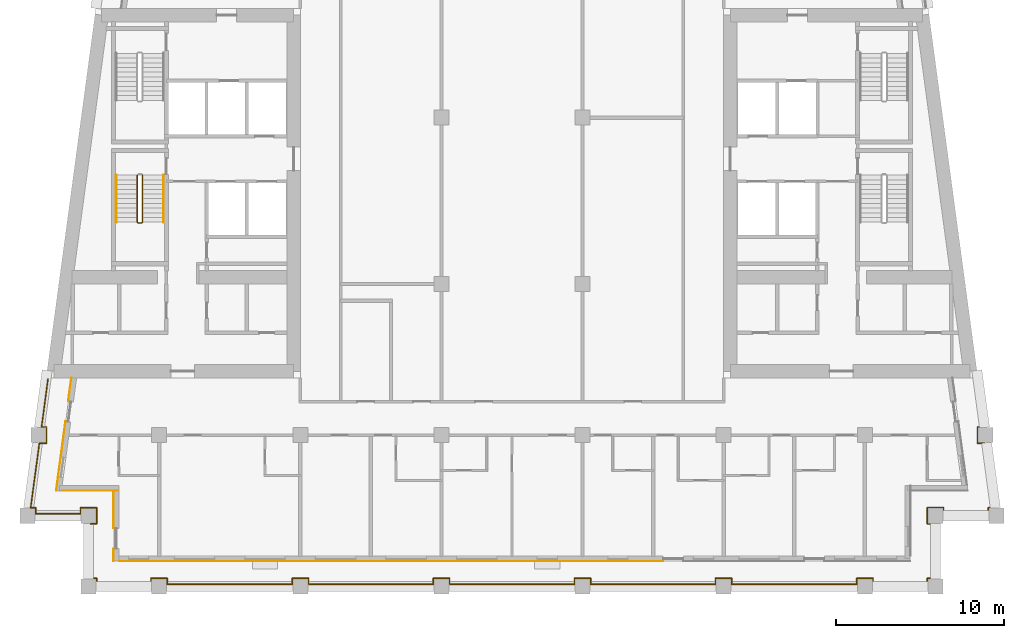
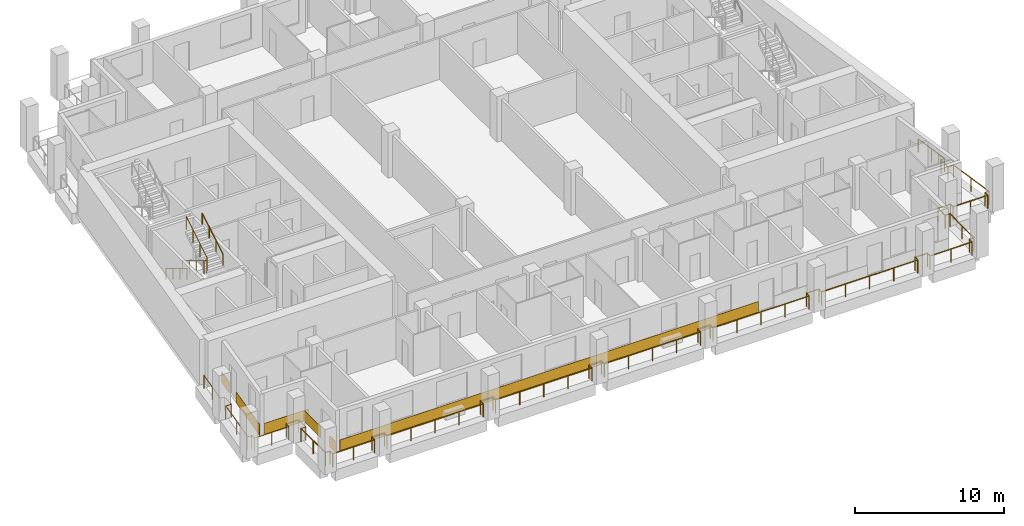
# One storey, part 9 of 13: 6 coverings, 5 railings.
"""IFC4 building model written with IfcOpenShell, lengths in metres."""

from ifc_helpers import new_model, si_unit, direction, frame, origin, origin_2d, place, context, subcontext, project, spatial, rectangle, circle, extrude, material, layer, layer_set, type_object, element, save


model = new_model("IFC4")

# Units and contexts
model_context = context("Model", 3, precision=1e-05, world=origin(), true_north=direction((0.0, 1.0)))
body_context = subcontext(model_context, "Body", "Model", "MODEL_VIEW")
ifc_project = project(units=[si_unit("LENGTHUNIT", "METRE"), si_unit("AREAUNIT", "SQUARE_METRE"), si_unit("VOLUMEUNIT", "CUBIC_METRE"), si_unit("PLANEANGLEUNIT", "RADIAN"), si_unit("MASSUNIT", "GRAM", prefix="KILO")], contexts=[model_context])

# Site, building, storey
site_placement = place(None, origin())
site = spatial("IfcSite", under=ifc_project, at=site_placement, CompositionType="ELEMENT")
building_placement = place(site_placement, origin())
building = spatial("IfcBuilding", under=site, at=building_placement, Name="Candeia Pilgrim Tower and Theatre", CompositionType="ELEMENT")
storey_placement = place(building_placement, frame((0.0, 0.0, 220.699951171875)))
storey = spatial("IfcBuildingStorey", under=building, at=storey_placement, Name="L53", CompositionType="ELEMENT", Elevation=220.699951171875)

# Railings
ifc_material_1 = material(Name="Stainless steel balustrade", Category="steel")
railing_type_1 = type_object("IfcRailingType", Name="G1 loggia guard 1100", PredefinedType="GUARDRAIL", material=ifc_material_1)
railing_1_placement = place(storey_placement, frame((88.320068359375, 101.719970703125, 0.0)))
element("IfcRailing", 1, at=railing_1_placement, inside=storey, type_object=railing_type_1, Name="Guard L53.1", PredefinedType="GUARDRAIL", context=body_context, shape_type="SweptSolid", body=[
    extrude(circle(Radius=0.02392578125, at=origin_2d()), frame((0.0, 0.0, 1.076171875), z_axis=(1.0, 0.0, 0.0), x_axis=(0.0, 1.0, 0.0)), (0.0, 0.0, 1.0), 0.35986328125),
    extrude(circle(Radius=0.02392578125, at=origin_2d()), frame((0.35986328125, 0.0, 1.076171875), z_axis=(0.0, 1.0, 0.0), x_axis=(-1.0, 0.0, 0.0)), (0.0, 0.0, 1.0), 0.9599609375),
    extrude(circle(Radius=0.02392578125, at=origin_2d()), frame((0.35986328125, 0.9599609375, 1.076171875), z_axis=(-1.0, 0.0, 0.0), x_axis=(0.0, -1.0, 0.0)), (0.0, 0.0, 1.0), 0.9599609375),
    extrude(circle(Radius=0.02392578125, at=origin_2d()), frame((-0.60009765625, 0.9599609375, 1.076171875), z_axis=(0.0, -1.0, 0.0), x_axis=(1.0, 0.0, 0.0)), (0.0, 0.0, 1.0), 0.35986328125),
    extrude(circle(Radius=0.02392578125, at=origin_2d()), frame((-0.60009765625, 0.60009765625, 1.076171875), z_axis=(-1.0, 0.0, 0.0), x_axis=(0.0, -1.0, 0.0)), (0.0, 0.0, 1.0), 2.674560546875),
    extrude(circle(Radius=0.02392578125, at=origin_2d()), frame((-3.274658203125, 0.60009765625, 1.076171875), z_axis=(0.0, 1.0, 0.0), x_axis=(-1.0, 0.0, 0.0)), (0.0, 0.0, 1.0), 0.35986328125),
    extrude(circle(Radius=0.02392578125, at=origin_2d()), frame((-3.274658203125, 0.9599609375, 1.076171875), z_axis=(-1.0, 0.0, 0.0), x_axis=(0.0, -1.0, 0.0)), (0.0, 0.0, 1.0), 0.29443359375),
    extrude(circle(Radius=0.02392578125, at=origin_2d()), frame((-3.569091796875, 0.9599609375, 1.076171875), z_axis=(0.133451286285, 0.991055373927, 0.0), x_axis=(-0.991055373927, 0.133451286285, 0.0)), (0.0, 0.0, 1.0), 3.874755859375),
    extrude(circle(Radius=0.02392578125, at=origin_2d()), frame((-3.052001953125, 4.800048828125, 1.076171875), z_axis=(1.0, 0.0, 0.0), x_axis=(0.0, 1.0, 0.0)), (0.0, 0.0, 1.0), 0.423583984375),
    extrude(circle(Radius=0.02392578125, at=origin_2d()), frame((-2.62841796875, 4.800048828125, 1.076171875), z_axis=(0.0, 1.0, 0.0), x_axis=(-1.0, 0.0, 0.0)), (0.0, 0.0, 1.0), 0.9599609375),
    extrude(circle(Radius=0.02392578125, at=origin_2d()), frame((-2.62841796875, 5.760009765625, 1.076171875), z_axis=(-1.0, 0.0, 0.0), x_axis=(0.0, -1.0, 0.0)), (0.0, 0.0, 1.0), 0.29443359375),
    extrude(circle(Radius=0.02392578125, at=origin_2d()), frame((-2.9228515625, 5.760009765625, 1.076171875), z_axis=(0.133450228179, 0.991055516406, 0.0), x_axis=(-0.991055516406, 0.133450228179, 0.0)), (0.0, 0.0, 1.0), 2.89599609375),
    extrude(circle(Radius=0.02099609375, at=origin_2d()), origin(), (0.0, 0.0, 1.0), 1.052001953125),
    extrude(circle(Radius=0.02099609375, at=origin_2d()), frame((0.35986328125, 0.0, 0.0)), (0.0, 0.0, 1.0), 1.052001953125),
    extrude(circle(Radius=0.02099609375, at=origin_2d()), frame((0.35986328125, 0.9599609375, 0.0)), (0.0, 0.0, 1.0), 1.052001953125),
    extrude(circle(Radius=0.02099609375, at=origin_2d()), frame((-0.60009765625, 0.9599609375, 0.0)), (0.0, 0.0, 1.0), 1.052001953125),
    extrude(circle(Radius=0.02099609375, at=origin_2d()), frame((-0.60009765625, 0.60009765625, 0.0)), (0.0, 0.0, 1.0), 1.052001953125),
    extrude(circle(Radius=0.02099609375, at=origin_2d()), frame((-1.9375, 0.60009765625, 0.0)), (0.0, 0.0, 1.0), 1.052001953125),
    extrude(circle(Radius=0.02099609375, at=origin_2d()), frame((-3.274658203125, 0.60009765625, 0.0)), (0.0, 0.0, 1.0), 1.052001953125),
    extrude(circle(Radius=0.02099609375, at=origin_2d()), frame((-3.274658203125, 0.9599609375, 0.0)), (0.0, 0.0, 1.0), 1.052001953125),
    extrude(circle(Radius=0.02099609375, at=origin_2d()), frame((-3.569091796875, 0.9599609375, 0.0)), (0.0, 0.0, 1.0), 1.052001953125),
    extrude(circle(Radius=0.02099609375, at=origin_2d()), frame((-3.310546875, 2.8798828125, 0.0)), (0.0, 0.0, 1.0), 1.052001953125),
    extrude(circle(Radius=0.02099609375, at=origin_2d()), frame((-3.052001953125, 4.800048828125, 0.0)), (0.0, 0.0, 1.0), 1.052001953125),
    extrude(circle(Radius=0.02099609375, at=origin_2d()), frame((-2.62841796875, 4.800048828125, 0.0)), (0.0, 0.0, 1.0), 1.052001953125),
    extrude(circle(Radius=0.02099609375, at=origin_2d()), frame((-2.62841796875, 5.760009765625, 0.0)), (0.0, 0.0, 1.0), 1.052001953125),
    extrude(circle(Radius=0.02099609375, at=origin_2d()), frame((-2.9228515625, 5.760009765625, 0.0)), (0.0, 0.0, 1.0), 1.052001953125),
    extrude(circle(Radius=0.02099609375, at=origin_2d()), frame((-2.7294921875, 7.195068359375, 0.0)), (0.0, 0.0, 1.0), 1.052001953125),
    extrude(circle(Radius=0.02099609375, at=origin_2d()), frame((-2.536376953125, 8.630126953125, 0.0)), (0.0, 0.0, 1.0), 1.052001953125),
])
railing_2_placement = place(storey_placement, frame((141.016357421875, 110.35009765625, 0.0)))
element("IfcRailing", 2, at=railing_2_placement, inside=storey, type_object=railing_type_1, Name="Guard L53.4", PredefinedType="GUARDRAIL", context=body_context, shape_type="SweptSolid", body=[
    extrude(circle(Radius=0.02392578125, at=origin_2d()), frame((0.0, 0.0, 1.076171875), z_axis=(0.133450228179, -0.991055516406, 0.0), x_axis=(0.991055516406, 0.133450228179, 0.0)), (0.0, 0.0, 1.0), 2.89599609375),
    extrude(circle(Radius=0.02392578125, at=origin_2d()), frame((0.386474609375, -2.8701171875, 1.076171875), z_axis=(-1.0, 0.0, 0.0), x_axis=(0.0, -1.0, 0.0)), (0.0, 0.0, 1.0), 0.29443359375),
    extrude(circle(Radius=0.02392578125, at=origin_2d()), frame((0.092041015625, -2.8701171875, 1.076171875), z_axis=(0.0, -1.0, 0.0), x_axis=(1.0, 0.0, 0.0)), (0.0, 0.0, 1.0), 0.9599609375),
    extrude(circle(Radius=0.02392578125, at=origin_2d()), frame((0.092041015625, -3.830078125, 1.076171875), z_axis=(1.0, 0.0, 0.0), x_axis=(0.0, 1.0, 0.0)), (0.0, 0.0, 1.0), 0.423583984375),
    extrude(circle(Radius=0.02392578125, at=origin_2d()), frame((0.515625, -3.830078125, 1.076171875), z_axis=(0.133389399471, -0.991063705374, 0.0), x_axis=(0.991063705374, 0.133389399471, 0.0)), (0.0, 0.0, 1.0), 3.874755859375),
    extrude(circle(Radius=0.02392578125, at=origin_2d()), frame((1.032470703125, -7.670166015625, 1.076171875), z_axis=(-1.0, 0.0, 0.0), x_axis=(0.0, -1.0, 0.0)), (0.0, 0.0, 1.0), 0.294189453125),
    extrude(circle(Radius=0.02392578125, at=origin_2d()), frame((0.73828125, -7.670166015625, 1.076171875), z_axis=(0.0, -1.0, 0.0), x_axis=(1.0, 0.0, 0.0)), (0.0, 0.0, 1.0), 0.35986328125),
    extrude(circle(Radius=0.02392578125, at=origin_2d()), frame((0.73828125, -8.030029296875, 1.076171875), z_axis=(-1.0, 0.0, 0.0), x_axis=(0.0, -1.0, 0.0)), (0.0, 0.0, 1.0), 2.674560546875),
    extrude(circle(Radius=0.02392578125, at=origin_2d()), frame((-1.936279296875, -8.030029296875, 1.076171875), z_axis=(0.0, 1.0, 0.0), x_axis=(-1.0, 0.0, 0.0)), (0.0, 0.0, 1.0), 0.35986328125),
    extrude(circle(Radius=0.02392578125, at=origin_2d()), frame((-1.936279296875, -7.670166015625, 1.076171875), z_axis=(-1.0, 0.0, 0.0), x_axis=(0.0, -1.0, 0.0)), (0.0, 0.0, 1.0), 0.9599609375),
    extrude(circle(Radius=0.02392578125, at=origin_2d()), frame((-2.896240234375, -7.670166015625, 1.076171875), z_axis=(0.0, -1.0, 0.0), x_axis=(1.0, 0.0, 0.0)), (0.0, 0.0, 1.0), 0.9599609375),
    extrude(circle(Radius=0.02392578125, at=origin_2d()), frame((-2.896240234375, -8.630126953125, 1.076171875), z_axis=(1.0, 0.0, 0.0), x_axis=(0.0, 1.0, 0.0)), (0.0, 0.0, 1.0), 0.35986328125),
    extrude(circle(Radius=0.02392578125, at=origin_2d()), frame((-2.536376953125, -8.630126953125, 1.076171875), z_axis=(0.0, -1.0, 0.0), x_axis=(1.0, 0.0, 0.0)), (0.0, 0.0, 1.0), 3.239990234375),
    extrude(circle(Radius=0.02392578125, at=origin_2d()), frame((-2.536376953125, -11.8701171875, 1.076171875), z_axis=(-1.0, 0.0, 0.0), x_axis=(0.0, -1.0, 0.0)), (0.0, 0.0, 1.0), 0.35986328125),
    extrude(circle(Radius=0.02392578125, at=origin_2d()), frame((-2.896240234375, -11.8701171875, 1.076171875), z_axis=(0.0, -1.0, 0.0), x_axis=(1.0, 0.0, 0.0)), (0.0, 0.0, 1.0), 0.35986328125),
    extrude(circle(Radius=0.02392578125, at=origin_2d()), frame((-2.896240234375, -12.22998046875, 1.076171875), z_axis=(-1.0, 0.0, 0.0), x_axis=(0.0, -1.0, 0.0)), (0.0, 0.0, 1.0), 3.240234375),
    extrude(circle(Radius=0.02392578125, at=origin_2d()), frame((-6.136474609375, -12.22998046875, 1.076171875), z_axis=(0.0, 1.0, 0.0), x_axis=(-1.0, 0.0, 0.0)), (0.0, 0.0, 1.0), 0.35986328125),
    extrude(circle(Radius=0.02392578125, at=origin_2d()), frame((-6.136474609375, -11.8701171875, 1.076171875), z_axis=(-1.0, 0.0, 0.0), x_axis=(0.0, -1.0, 0.0)), (0.0, 0.0, 1.0), 0.9599609375),
    extrude(circle(Radius=0.02392578125, at=origin_2d()), frame((-7.096435546875, -11.8701171875, 1.076171875), z_axis=(0.0, -1.0, 0.0), x_axis=(1.0, 0.0, 0.0)), (0.0, 0.0, 1.0), 0.35986328125),
    extrude(circle(Radius=0.02392578125, at=origin_2d()), frame((-7.096435546875, -12.22998046875, 1.076171875), z_axis=(-1.0, 0.0, 0.0), x_axis=(0.0, -1.0, 0.0)), (0.0, 0.0, 1.0), 7.43994140625),
    extrude(circle(Radius=0.02392578125, at=origin_2d()), frame((-14.536376953125, -12.22998046875, 1.076171875), z_axis=(0.0, 1.0, 0.0), x_axis=(-1.0, 0.0, 0.0)), (0.0, 0.0, 1.0), 0.35986328125),
    extrude(circle(Radius=0.02392578125, at=origin_2d()), frame((-14.536376953125, -11.8701171875, 1.076171875), z_axis=(-1.0, 0.0, 0.0), x_axis=(0.0, -1.0, 0.0)), (0.0, 0.0, 1.0), 0.9599609375),
    extrude(circle(Radius=0.02392578125, at=origin_2d()), frame((-15.496337890625, -11.8701171875, 1.076171875), z_axis=(0.0, -1.0, 0.0), x_axis=(1.0, 0.0, 0.0)), (0.0, 0.0, 1.0), 0.35986328125),
    extrude(circle(Radius=0.02392578125, at=origin_2d()), frame((-15.496337890625, -12.22998046875, 1.076171875), z_axis=(-1.0, 0.0, 0.0), x_axis=(0.0, -1.0, 0.0)), (0.0, 0.0, 1.0), 7.43994140625),
    extrude(circle(Radius=0.02392578125, at=origin_2d()), frame((-22.936279296875, -12.22998046875, 1.076171875), z_axis=(0.0, 1.0, 0.0), x_axis=(-1.0, 0.0, 0.0)), (0.0, 0.0, 1.0), 0.35986328125),
    extrude(circle(Radius=0.02392578125, at=origin_2d()), frame((-22.936279296875, -11.8701171875, 1.076171875), z_axis=(-1.0, 0.0, 0.0), x_axis=(0.0, -1.0, 0.0)), (0.0, 0.0, 1.0), 0.9599609375),
    extrude(circle(Radius=0.02392578125, at=origin_2d()), frame((-23.896240234375, -11.8701171875, 1.076171875), z_axis=(0.0, -1.0, 0.0), x_axis=(1.0, 0.0, 0.0)), (0.0, 0.0, 1.0), 0.35986328125),
    extrude(circle(Radius=0.02392578125, at=origin_2d()), frame((-23.896240234375, -12.22998046875, 1.076171875), z_axis=(-1.0, 0.0, 0.0), x_axis=(0.0, -1.0, 0.0)), (0.0, 0.0, 1.0), 7.440185546875),
    extrude(circle(Radius=0.02392578125, at=origin_2d()), frame((-31.33642578125, -12.22998046875, 1.076171875), z_axis=(0.0, 1.0, 0.0), x_axis=(-1.0, 0.0, 0.0)), (0.0, 0.0, 1.0), 0.35986328125),
    extrude(circle(Radius=0.02392578125, at=origin_2d()), frame((-31.33642578125, -11.8701171875, 1.076171875), z_axis=(-1.0, 0.0, 0.0), x_axis=(0.0, -1.0, 0.0)), (0.0, 0.0, 1.0), 0.9599609375),
    extrude(circle(Radius=0.02392578125, at=origin_2d()), frame((-32.29638671875, -11.8701171875, 1.076171875), z_axis=(0.0, -1.0, 0.0), x_axis=(1.0, 0.0, 0.0)), (0.0, 0.0, 1.0), 0.35986328125),
    extrude(circle(Radius=0.02392578125, at=origin_2d()), frame((-32.29638671875, -12.22998046875, 1.076171875), z_axis=(-1.0, 0.0, 0.0), x_axis=(0.0, -1.0, 0.0)), (0.0, 0.0, 1.0), 7.43994140625),
    extrude(circle(Radius=0.02392578125, at=origin_2d()), frame((-39.736328125, -12.22998046875, 1.076171875), z_axis=(0.0, 1.0, 0.0), x_axis=(-1.0, 0.0, 0.0)), (0.0, 0.0, 1.0), 0.35986328125),
    extrude(circle(Radius=0.02392578125, at=origin_2d()), frame((-39.736328125, -11.8701171875, 1.076171875), z_axis=(-1.0, 0.0, 0.0), x_axis=(0.0, -1.0, 0.0)), (0.0, 0.0, 1.0), 0.9599609375),
    extrude(circle(Radius=0.02392578125, at=origin_2d()), frame((-40.6962890625, -11.8701171875, 1.076171875), z_axis=(0.0, -1.0, 0.0), x_axis=(1.0, 0.0, 0.0)), (0.0, 0.0, 1.0), 0.35986328125),
    extrude(circle(Radius=0.02392578125, at=origin_2d()), frame((-40.6962890625, -12.22998046875, 1.076171875), z_axis=(-1.0, 0.0, 0.0), x_axis=(0.0, -1.0, 0.0)), (0.0, 0.0, 1.0), 7.440185546875),
    extrude(circle(Radius=0.02392578125, at=origin_2d()), frame((-48.136474609375, -12.22998046875, 1.076171875), z_axis=(0.0, 1.0, 0.0), x_axis=(-1.0, 0.0, 0.0)), (0.0, 0.0, 1.0), 0.35986328125),
    extrude(circle(Radius=0.02392578125, at=origin_2d()), frame((-48.136474609375, -11.8701171875, 1.076171875), z_axis=(-1.0, 0.0, 0.0), x_axis=(0.0, -1.0, 0.0)), (0.0, 0.0, 1.0), 0.9599609375),
    extrude(circle(Radius=0.02392578125, at=origin_2d()), frame((-49.096435546875, -11.8701171875, 1.076171875), z_axis=(0.0, -1.0, 0.0), x_axis=(1.0, 0.0, 0.0)), (0.0, 0.0, 1.0), 0.35986328125),
    extrude(circle(Radius=0.02392578125, at=origin_2d()), frame((-49.096435546875, -12.22998046875, 1.076171875), z_axis=(-1.0, 0.0, 0.0), x_axis=(0.0, -1.0, 0.0)), (0.0, 0.0, 1.0), 3.239990234375),
    extrude(circle(Radius=0.02392578125, at=origin_2d()), frame((-52.33642578125, -12.22998046875, 1.076171875), z_axis=(0.0, 1.0, 0.0), x_axis=(-1.0, 0.0, 0.0)), (0.0, 0.0, 1.0), 0.35986328125),
    extrude(circle(Radius=0.02392578125, at=origin_2d()), frame((-52.33642578125, -11.8701171875, 1.076171875), z_axis=(-1.0, 0.0, 0.0), x_axis=(0.0, -1.0, 0.0)), (0.0, 0.0, 1.0), 0.35986328125),
    extrude(circle(Radius=0.02392578125, at=origin_2d()), frame((-52.6962890625, -11.8701171875, 1.076171875), z_axis=(0.0, 1.0, 0.0), x_axis=(-1.0, 0.0, 0.0)), (0.0, 0.0, 1.0), 3.239990234375),
    extrude(circle(Radius=0.02099609375, at=origin_2d()), origin(), (0.0, 0.0, 1.0), 1.052001953125),
    extrude(circle(Radius=0.02099609375, at=origin_2d()), frame((0.193359375, -1.43505859375, 0.0)), (0.0, 0.0, 1.0), 1.052001953125),
    extrude(circle(Radius=0.02099609375, at=origin_2d()), frame((0.386474609375, -2.8701171875, 0.0)), (0.0, 0.0, 1.0), 1.052001953125),
    extrude(circle(Radius=0.02099609375, at=origin_2d()), frame((0.092041015625, -2.8701171875, 0.0)), (0.0, 0.0, 1.0), 1.052001953125),
    extrude(circle(Radius=0.02099609375, at=origin_2d()), frame((0.092041015625, -3.830078125, 0.0)), (0.0, 0.0, 1.0), 1.052001953125),
    extrude(circle(Radius=0.02099609375, at=origin_2d()), frame((0.515625, -3.830078125, 0.0)), (0.0, 0.0, 1.0), 1.052001953125),
    extrude(circle(Radius=0.02099609375, at=origin_2d()), frame((0.77392578125, -5.75, 0.0)), (0.0, 0.0, 1.0), 1.052001953125),
    extrude(circle(Radius=0.02099609375, at=origin_2d()), frame((1.032470703125, -7.670166015625, 0.0)), (0.0, 0.0, 1.0), 1.052001953125),
    extrude(circle(Radius=0.02099609375, at=origin_2d()), frame((0.73828125, -7.670166015625, 0.0)), (0.0, 0.0, 1.0), 1.052001953125),
    extrude(circle(Radius=0.02099609375, at=origin_2d()), frame((0.73828125, -8.030029296875, 0.0)), (0.0, 0.0, 1.0), 1.052001953125),
    extrude(circle(Radius=0.02099609375, at=origin_2d()), frame((-0.59912109375, -8.030029296875, 0.0)), (0.0, 0.0, 1.0), 1.052001953125),
    extrude(circle(Radius=0.02099609375, at=origin_2d()), frame((-1.936279296875, -8.030029296875, 0.0)), (0.0, 0.0, 1.0), 1.052001953125),
    extrude(circle(Radius=0.02099609375, at=origin_2d()), frame((-1.936279296875, -7.670166015625, 0.0)), (0.0, 0.0, 1.0), 1.052001953125),
    extrude(circle(Radius=0.02099609375, at=origin_2d()), frame((-2.896240234375, -7.670166015625, 0.0)), (0.0, 0.0, 1.0), 1.052001953125),
    extrude(circle(Radius=0.02099609375, at=origin_2d()), frame((-2.896240234375, -8.630126953125, 0.0)), (0.0, 0.0, 1.0), 1.052001953125),
    extrude(circle(Radius=0.02099609375, at=origin_2d()), frame((-2.536376953125, -8.630126953125, 0.0)), (0.0, 0.0, 1.0), 1.052001953125),
    extrude(circle(Radius=0.02099609375, at=origin_2d()), frame((-2.536376953125, -10.25, 0.0)), (0.0, 0.0, 1.0), 1.052001953125),
    extrude(circle(Radius=0.02099609375, at=origin_2d()), frame((-2.536376953125, -11.8701171875, 0.0)), (0.0, 0.0, 1.0), 1.052001953125),
    extrude(circle(Radius=0.02099609375, at=origin_2d()), frame((-2.896240234375, -11.8701171875, 0.0)), (0.0, 0.0, 1.0), 1.052001953125),
    extrude(circle(Radius=0.02099609375, at=origin_2d()), frame((-2.896240234375, -12.22998046875, 0.0)), (0.0, 0.0, 1.0), 1.052001953125),
    extrude(circle(Radius=0.02099609375, at=origin_2d()), frame((-4.516357421875, -12.22998046875, 0.0)), (0.0, 0.0, 1.0), 1.052001953125),
    extrude(circle(Radius=0.02099609375, at=origin_2d()), frame((-6.136474609375, -12.22998046875, 0.0)), (0.0, 0.0, 1.0), 1.052001953125),
    extrude(circle(Radius=0.02099609375, at=origin_2d()), frame((-6.136474609375, -11.8701171875, 0.0)), (0.0, 0.0, 1.0), 1.052001953125),
    extrude(circle(Radius=0.02099609375, at=origin_2d()), frame((-7.096435546875, -11.8701171875, 0.0)), (0.0, 0.0, 1.0), 1.052001953125),
    extrude(circle(Radius=0.02099609375, at=origin_2d()), frame((-7.096435546875, -12.22998046875, 0.0)), (0.0, 0.0, 1.0), 1.052001953125),
    extrude(circle(Radius=0.02099609375, at=origin_2d()), frame((-8.95654296875, -12.22998046875, 0.0)), (0.0, 0.0, 1.0), 1.052001953125),
    extrude(circle(Radius=0.02099609375, at=origin_2d()), frame((-10.81640625, -12.22998046875, 0.0)), (0.0, 0.0, 1.0), 1.052001953125),
    extrude(circle(Radius=0.02099609375, at=origin_2d()), frame((-12.67626953125, -12.22998046875, 0.0)), (0.0, 0.0, 1.0), 1.052001953125),
    extrude(circle(Radius=0.02099609375, at=origin_2d()), frame((-14.536376953125, -12.22998046875, 0.0)), (0.0, 0.0, 1.0), 1.052001953125),
    extrude(circle(Radius=0.02099609375, at=origin_2d()), frame((-14.536376953125, -11.8701171875, 0.0)), (0.0, 0.0, 1.0), 1.052001953125),
    extrude(circle(Radius=0.02099609375, at=origin_2d()), frame((-15.496337890625, -11.8701171875, 0.0)), (0.0, 0.0, 1.0), 1.052001953125),
    extrude(circle(Radius=0.02099609375, at=origin_2d()), frame((-15.496337890625, -12.22998046875, 0.0)), (0.0, 0.0, 1.0), 1.052001953125),
    extrude(circle(Radius=0.02099609375, at=origin_2d()), frame((-17.3564453125, -12.22998046875, 0.0)), (0.0, 0.0, 1.0), 1.052001953125),
    extrude(circle(Radius=0.02099609375, at=origin_2d()), frame((-19.21630859375, -12.22998046875, 0.0)), (0.0, 0.0, 1.0), 1.052001953125),
    extrude(circle(Radius=0.02099609375, at=origin_2d()), frame((-21.076171875, -12.22998046875, 0.0)), (0.0, 0.0, 1.0), 1.052001953125),
    extrude(circle(Radius=0.02099609375, at=origin_2d()), frame((-22.936279296875, -12.22998046875, 0.0)), (0.0, 0.0, 1.0), 1.052001953125),
    extrude(circle(Radius=0.02099609375, at=origin_2d()), frame((-22.936279296875, -11.8701171875, 0.0)), (0.0, 0.0, 1.0), 1.052001953125),
    extrude(circle(Radius=0.02099609375, at=origin_2d()), frame((-23.896240234375, -11.8701171875, 0.0)), (0.0, 0.0, 1.0), 1.052001953125),
    extrude(circle(Radius=0.02099609375, at=origin_2d()), frame((-23.896240234375, -12.22998046875, 0.0)), (0.0, 0.0, 1.0), 1.052001953125),
    extrude(circle(Radius=0.02099609375, at=origin_2d()), frame((-25.75634765625, -12.22998046875, 0.0)), (0.0, 0.0, 1.0), 1.052001953125),
    extrude(circle(Radius=0.02099609375, at=origin_2d()), frame((-27.6162109375, -12.22998046875, 0.0)), (0.0, 0.0, 1.0), 1.052001953125),
    extrude(circle(Radius=0.02099609375, at=origin_2d()), frame((-29.476318359375, -12.22998046875, 0.0)), (0.0, 0.0, 1.0), 1.052001953125),
    extrude(circle(Radius=0.02099609375, at=origin_2d()), frame((-31.33642578125, -12.22998046875, 0.0)), (0.0, 0.0, 1.0), 1.052001953125),
    extrude(circle(Radius=0.02099609375, at=origin_2d()), frame((-31.33642578125, -11.8701171875, 0.0)), (0.0, 0.0, 1.0), 1.052001953125),
    extrude(circle(Radius=0.02099609375, at=origin_2d()), frame((-32.29638671875, -11.8701171875, 0.0)), (0.0, 0.0, 1.0), 1.052001953125),
    extrude(circle(Radius=0.02099609375, at=origin_2d()), frame((-32.29638671875, -12.22998046875, 0.0)), (0.0, 0.0, 1.0), 1.052001953125),
    extrude(circle(Radius=0.02099609375, at=origin_2d()), frame((-34.15625, -12.22998046875, 0.0)), (0.0, 0.0, 1.0), 1.052001953125),
    extrude(circle(Radius=0.02099609375, at=origin_2d()), frame((-36.016357421875, -12.22998046875, 0.0)), (0.0, 0.0, 1.0), 1.052001953125),
    extrude(circle(Radius=0.02099609375, at=origin_2d()), frame((-37.87646484375, -12.22998046875, 0.0)), (0.0, 0.0, 1.0), 1.052001953125),
    extrude(circle(Radius=0.02099609375, at=origin_2d()), frame((-39.736328125, -12.22998046875, 0.0)), (0.0, 0.0, 1.0), 1.052001953125),
    extrude(circle(Radius=0.02099609375, at=origin_2d()), frame((-39.736328125, -11.8701171875, 0.0)), (0.0, 0.0, 1.0), 1.052001953125),
    extrude(circle(Radius=0.02099609375, at=origin_2d()), frame((-40.6962890625, -11.8701171875, 0.0)), (0.0, 0.0, 1.0), 1.052001953125),
    extrude(circle(Radius=0.02099609375, at=origin_2d()), frame((-40.6962890625, -12.22998046875, 0.0)), (0.0, 0.0, 1.0), 1.052001953125),
    extrude(circle(Radius=0.02099609375, at=origin_2d()), frame((-42.556396484375, -12.22998046875, 0.0)), (0.0, 0.0, 1.0), 1.052001953125),
    extrude(circle(Radius=0.02099609375, at=origin_2d()), frame((-44.41650390625, -12.22998046875, 0.0)), (0.0, 0.0, 1.0), 1.052001953125),
    extrude(circle(Radius=0.02099609375, at=origin_2d()), frame((-46.2763671875, -12.22998046875, 0.0)), (0.0, 0.0, 1.0), 1.052001953125),
    extrude(circle(Radius=0.02099609375, at=origin_2d()), frame((-48.136474609375, -12.22998046875, 0.0)), (0.0, 0.0, 1.0), 1.052001953125),
    extrude(circle(Radius=0.02099609375, at=origin_2d()), frame((-48.136474609375, -11.8701171875, 0.0)), (0.0, 0.0, 1.0), 1.052001953125),
    extrude(circle(Radius=0.02099609375, at=origin_2d()), frame((-49.096435546875, -11.8701171875, 0.0)), (0.0, 0.0, 1.0), 1.052001953125),
    extrude(circle(Radius=0.02099609375, at=origin_2d()), frame((-49.096435546875, -12.22998046875, 0.0)), (0.0, 0.0, 1.0), 1.052001953125),
    extrude(circle(Radius=0.02099609375, at=origin_2d()), frame((-50.71630859375, -12.22998046875, 0.0)), (0.0, 0.0, 1.0), 1.052001953125),
    extrude(circle(Radius=0.02099609375, at=origin_2d()), frame((-52.33642578125, -12.22998046875, 0.0)), (0.0, 0.0, 1.0), 1.052001953125),
    extrude(circle(Radius=0.02099609375, at=origin_2d()), frame((-52.33642578125, -11.8701171875, 0.0)), (0.0, 0.0, 1.0), 1.052001953125),
    extrude(circle(Radius=0.02099609375, at=origin_2d()), frame((-52.6962890625, -11.8701171875, 0.0)), (0.0, 0.0, 1.0), 1.052001953125),
    extrude(circle(Radius=0.02099609375, at=origin_2d()), frame((-52.6962890625, -10.25, 0.0)), (0.0, 0.0, 1.0), 1.052001953125),
    extrude(circle(Radius=0.02099609375, at=origin_2d()), frame((-52.6962890625, -8.630126953125, 0.0)), (0.0, 0.0, 1.0), 1.052001953125),
])

# Coverings
ifc_material_2 = material(Name="Glazed ceramic tile bottle green")
ifc_layer = layer(ifc_material_2, 0.02001953125)
ifc_layer_set = layer_set([ifc_layer], Name="Glazed ceramic tile bottle green")
covering_type = type_object("IfcCoveringType", Name="Glazed ceramic tile bottle green", PredefinedType="CLADDING", material=ifc_layer_set)
covering_1_placement = place(storey_placement, frame((106.2099609375, 99.489990234375, 0.0), z_axis=(0.0, 0.0, 1.0), x_axis=(1.0, 0.0, 0.0)))
element("IfcCovering", 3, at=covering_1_placement, inside=storey, type_object=covering_type, Name="Tile cladding bottle green L53", PredefinedType="CLADDING", context=body_context, shape_type="SweptSolid", body=[
    extrude(rectangle(XDim=32.3798828125, YDim=0.02001953125, at=origin_2d()), origin(), (0.0, 0.0, 1.0), 0.89990234375),
])
covering_2_placement = place(storey_placement, frame((87.0810546875, 109.71875, 0.0), z_axis=(0.0, 0.0, 1.0), x_axis=(-0.133412012145, -0.991060661622, 0.0)))
element("IfcCovering", 4, at=covering_2_placement, inside=storey, type_object=covering_type, Name="Tile cladding bottle green L53", PredefinedType="CLADDING", context=body_context, shape_type="SweptSolid", body=[
    extrude(rectangle(XDim=1.41796875, YDim=0.02001953125, at=origin_2d()), origin(), (0.0, 0.0, 1.0), 0.89990234375),
])
covering_3_placement = place(storey_placement, frame((86.548583984375, 105.763916015625, 0.0), z_axis=(0.0, 0.0, 1.0), x_axis=(-0.133412012145, -0.991060661622, 0.0)))
element("IfcCovering", 5, at=covering_3_placement, inside=storey, type_object=covering_type, Name="Tile cladding bottle green L53", PredefinedType="CLADDING", context=body_context, shape_type="SweptSolid", body=[
    extrude(rectangle(XDim=4.16259765625, YDim=0.02001953125, at=origin_2d()), origin(), (0.0, 0.0, 1.0), 0.89990234375),
])
covering_4_placement = place(storey_placement, frame((88.311279296875, 103.68994140625, 0.0), z_axis=(0.0, 0.0, 1.0), x_axis=(1.0, 0.0, 0.0)))
element("IfcCovering", 6, at=covering_4_placement, inside=storey, type_object=covering_type, Name="Tile cladding bottle green L53", PredefinedType="CLADDING", context=body_context, shape_type="SweptSolid", body=[
    extrude(rectangle(XDim=3.377685546875, YDim=0.02001953125, at=origin_2d()), origin(), (0.0, 0.0, 1.0), 0.89990234375),
])
covering_5_placement = place(storey_placement, frame((89.68994140625, 102.56494140625, 0.0), z_axis=(0.0, 0.0, 1.0), x_axis=(0.0, -1.0, 0.0)))
element("IfcCovering", 7, at=covering_5_placement, inside=storey, type_object=covering_type, Name="Tile cladding bottle green L53", PredefinedType="CLADDING", context=body_context, shape_type="SweptSolid", body=[
    extrude(rectangle(XDim=2.22998046875, YDim=0.02001953125, at=origin_2d()), origin(), (0.0, 0.0, 1.0), 0.89990234375),
])
covering_6_placement = place(storey_placement, frame((89.68994140625, 99.875, 0.0), z_axis=(0.0, 0.0, 1.0), x_axis=(0.0, -1.0, 0.0)))
element("IfcCovering", 8, at=covering_6_placement, inside=storey, type_object=covering_type, Name="Tile cladding bottle green L53", PredefinedType="CLADDING", context=body_context, shape_type="SweptSolid", body=[
    extrude(rectangle(XDim=0.75, YDim=0.02001953125, at=origin_2d()), origin(), (0.0, 0.0, 1.0), 0.89990234375),
])

# Railings
railing_type_2 = type_object("IfcRailingType", Name="RL-GUARD-1100", PredefinedType="GUARDRAIL", material=ifc_material_1)
railing_3_placement = place(storey_placement, frame((91.10205078125, 122.47509765625, 0.168212890625)))
element("IfcRailing", 9, at=railing_3_placement, inside=storey, type_object=railing_type_2, Name="L53 ST1 stair guard 1", PredefinedType="GUARDRAIL", context=body_context, shape_type="SweptSolid", body=[
    extrude(circle(Radius=0.02392578125, at=origin_2d()), frame((0.0, 0.0, 1.076171875), z_axis=(0.0, -0.857242210791, 0.514913383045), x_axis=(1.0, 0.0, 0.0)), (0.0, 0.0, 1.0), 3.266357421875),
    extrude(circle(Radius=0.02392578125, at=origin_2d()), frame((0.0, -2.800048828125, 2.7578125), z_axis=(0.707106781187, -0.707106781187, 0.0), x_axis=(0.707106781187, 0.707106781187, 0.0)), (0.0, 0.0, 1.0), 0.07080078125),
    extrude(circle(Radius=0.02392578125, at=origin_2d()), frame((0.050048828125, -2.85009765625, 2.7578125), z_axis=(1.0, 0.0, 0.0), x_axis=(0.0, 1.0, 0.0)), (0.0, 0.0, 1.0), 0.199951171875),
    extrude(circle(Radius=0.02392578125, at=origin_2d()), frame((0.25, -2.85009765625, 2.7578125), z_axis=(0.274243871929, 0.274243871929, 0.92172696468), x_axis=(-0.707106781187, 0.707106781187, 0.0)), (0.0, 0.0, 1.0), 0.1826171875),
    extrude(circle(Radius=0.02392578125, at=origin_2d()), frame((0.300048828125, -2.800048828125, 2.92626953125), z_axis=(0.0, 0.857275202839, 0.514858452973), x_axis=(-1.0, 0.0, 0.0)), (0.0, 0.0, 1.0), 3.26611328125),
    extrude(circle(Radius=0.02099609375, at=origin_2d()), origin(), (0.0, 0.0, 1.0), 1.052001953125),
    extrude(circle(Radius=0.02099609375, at=origin_2d()), frame((0.0, -0.933349609375, 0.560546875)), (0.0, 0.0, 1.0), 1.052001953125),
    extrude(circle(Radius=0.02099609375, at=origin_2d()), frame((0.0, -1.86669921875, 1.121337890625)), (0.0, 0.0, 1.0), 1.052001953125),
    extrude(circle(Radius=0.02099609375, at=origin_2d()), frame((0.0, -2.800048828125, 1.681884765625)), (0.0, 0.0, 1.0), 1.052001953125),
    extrude(circle(Radius=0.02099609375, at=origin_2d()), frame((0.050048828125, -2.85009765625, 1.681884765625)), (0.0, 0.0, 1.0), 1.052001953125),
    extrude(circle(Radius=0.02099609375, at=origin_2d()), frame((0.25, -2.85009765625, 1.681884765625)), (0.0, 0.0, 1.0), 1.052001953125),
    extrude(circle(Radius=0.02099609375, at=origin_2d()), frame((0.300048828125, -2.800048828125, 1.85009765625)), (0.0, 0.0, 1.0), 1.052001953125),
    extrude(circle(Radius=0.02099609375, at=origin_2d()), frame((0.300048828125, -1.86669921875, 2.41064453125)), (0.0, 0.0, 1.0), 1.052001953125),
    extrude(circle(Radius=0.02099609375, at=origin_2d()), frame((0.300048828125, -0.933349609375, 2.97119140625)), (0.0, 0.0, 1.0), 1.052001953125),
    extrude(circle(Radius=0.02099609375, at=origin_2d()), frame((0.300048828125, 0.0, 3.53173828125)), (0.0, 0.0, 1.0), 1.052001953125),
])
ifc_material_3 = material(Name="Stainless steel handrail", Category="steel")
railing_type_3 = type_object("IfcRailingType", Name="RL-HANDRAIL-900", PredefinedType="HANDRAIL", material=ifc_material_3)
railing_4_placement = place(storey_placement, frame((89.85205078125, 122.47509765625, 0.168212890625)))
element("IfcRailing", 10, at=railing_4_placement, inside=storey, type_object=railing_type_3, Name="L53 ST1 stair handrail 1", PredefinedType="HANDRAIL", context=body_context, shape_type="SweptSolid", body=[
    extrude(circle(Radius=0.02392578125, at=origin_2d()), frame((0.0, 0.0, 0.8759765625), z_axis=(0.0, -0.857242210791, 0.514913383045), x_axis=(1.0, 0.0, 0.0)), (0.0, 0.0, 1.0), 3.266357421875),
    extrude(circle(Radius=0.02099609375, at=origin_2d()), origin(), (0.0, 0.0, 1.0), 0.851806640625),
    extrude(circle(Radius=0.02099609375, at=origin_2d()), frame((0.0, -0.933349609375, 0.560546875)), (0.0, 0.0, 1.0), 0.851806640625),
    extrude(circle(Radius=0.02099609375, at=origin_2d()), frame((0.0, -1.86669921875, 1.121337890625)), (0.0, 0.0, 1.0), 0.851806640625),
    extrude(circle(Radius=0.02099609375, at=origin_2d()), frame((0.0, -2.800048828125, 1.681884765625)), (0.0, 0.0, 1.0), 0.851806640625),
])
railing_5_placement = place(storey_placement, frame((92.652099609375, 119.675048828125, 2.018310546875)))
element("IfcRailing", 11, at=railing_5_placement, inside=storey, type_object=railing_type_3, Name="L53 ST1 stair handrail 2", PredefinedType="HANDRAIL", context=body_context, shape_type="SweptSolid", body=[
    extrude(circle(Radius=0.02392578125, at=origin_2d()), frame((0.0, 0.0, 0.8759765625), z_axis=(0.0, 0.857275202839, 0.514858452973), x_axis=(-1.0, 0.0, 0.0)), (0.0, 0.0, 1.0), 3.26611328125),
    extrude(circle(Radius=0.02099609375, at=origin_2d()), origin(), (0.0, 0.0, 1.0), 0.851806640625),
    extrude(circle(Radius=0.02099609375, at=origin_2d()), frame((0.0, 0.933349609375, 0.560546875)), (0.0, 0.0, 1.0), 0.851806640625),
    extrude(circle(Radius=0.02099609375, at=origin_2d()), frame((0.0, 1.86669921875, 1.12109375)), (0.0, 0.0, 1.0), 0.851806640625),
    extrude(circle(Radius=0.02099609375, at=origin_2d()), frame((0.0, 2.800048828125, 1.681640625)), (0.0, 0.0, 1.0), 0.851806640625),
])

save(model, "model.ifc")
